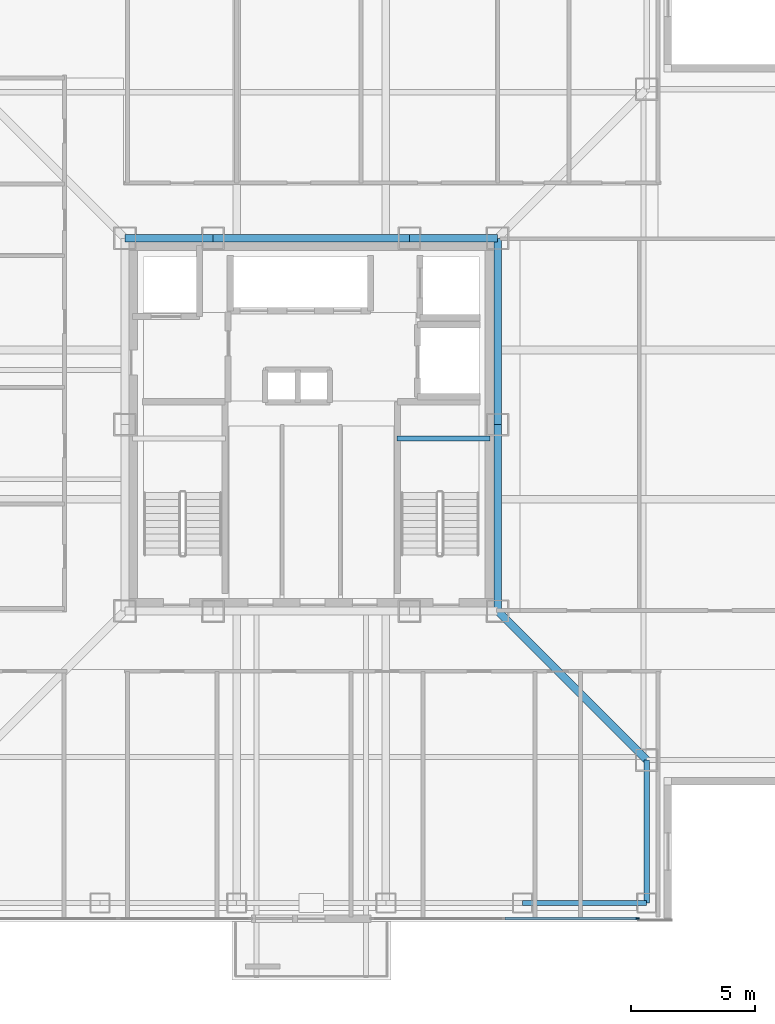
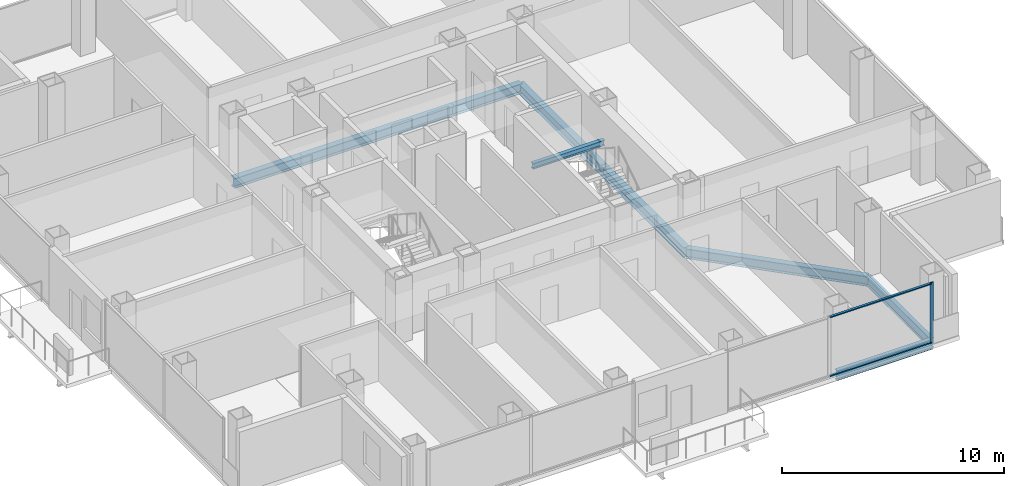
# One storey, part 5 of 16: 9 beams, 3 members, 1 element without a shape of its own.
"""IFC4 building model written with IfcOpenShell, lengths in metres."""

from ifc_helpers import new_model, si_unit, direction, frame, origin, origin_2d, place, context, subcontext, project, spatial, rectangle, i_section, extrude, material, layer, layer_set, material_profile, profile_set, type_object, element, aggregate, save


model = new_model("IFC4")

# Units and contexts
model_context = context("Model", 3, precision=1e-05, world=origin(), true_north=direction((0.0, 1.0)))
body_context = subcontext(model_context, "Body", "Model", "MODEL_VIEW")
ifc_project = project(units=[si_unit("LENGTHUNIT", "METRE"), si_unit("AREAUNIT", "SQUARE_METRE"), si_unit("VOLUMEUNIT", "CUBIC_METRE"), si_unit("PLANEANGLEUNIT", "RADIAN"), si_unit("MASSUNIT", "GRAM", prefix="KILO")], contexts=[model_context])

# Site, building, storey
site_placement = place(None, origin())
site = spatial("IfcSite", under=ifc_project, at=site_placement, CompositionType="ELEMENT")
building_placement = place(site_placement, origin())
building = spatial("IfcBuilding", under=site, at=building_placement, Name="Trevonay Congress Spire", CompositionType="ELEMENT")
storey_placement = place(building_placement, frame((0.0, 0.0, 177.0)))
storey = spatial("IfcBuildingStorey", under=building, at=storey_placement, Name="L45", CompositionType="ELEMENT", Elevation=177.0)

# Beams
ifc_material_1 = material(Name="Steel ASTM A572 Grade 50", Category="steel")
ifc_material_profile_1 = material_profile(ifc_material_1, i_section(OverallWidth=0.31201171875, OverallDepth=0.54296875, WebThickness=0.0126953125, FlangeThickness=0.020263671875, FilletRadius=0.014892578125, at=origin_2d()), Name="W530x150")
ifc_profile_set_1 = profile_set([ifc_material_profile_1], Name="Steel ASTM A572 Grade 50")
beam_type_1 = type_object("IfcBeamType", Name="BM-GIRD-W530X150", PredefinedType="BEAM", material=ifc_profile_set_1)
beam_1_placement = place(storey_placement, frame((-7.5, 7.5, -0.511474609375), z_axis=(1.0, 0.0, 0.0), x_axis=(0.0, 1.0, 0.0)))
element("IfcBeam", 1, at=beam_1_placement, inside=storey, type_object=beam_type_1, Name="L45 structural beam BM-L45-CR-N1", PredefinedType="BEAM", context=body_context, shape_type="SweptSolid", body=[
    extrude(i_section(OverallWidth=0.31201171875, OverallDepth=0.54296875, WebThickness=0.0126953125, FlangeThickness=0.020263671875, FilletRadius=0.014892578125, at=origin_2d()), origin(), (0.0, 0.0, 1.0), 3.550048828125),
])
beam_2_placement = place(storey_placement, frame((-3.949951171875, 7.5, -0.511474609375), z_axis=(1.0, 0.0, 0.0), x_axis=(0.0, 1.0, 0.0)))
element("IfcBeam", 2, at=beam_2_placement, inside=storey, type_object=beam_type_1, Name="L45 structural beam BM-L45-CR-N2", PredefinedType="BEAM", context=body_context, shape_type="SweptSolid", body=[
    extrude(i_section(OverallWidth=0.31201171875, OverallDepth=0.54296875, WebThickness=0.0126953125, FlangeThickness=0.020263671875, FilletRadius=0.014892578125, at=origin_2d()), origin(), (0.0, 0.0, 1.0), 7.89990234375),
])
beam_3_placement = place(storey_placement, frame((3.949951171875, 7.5, -0.511474609375), z_axis=(1.0, 0.0, 0.0), x_axis=(0.0, 1.0, 0.0)))
element("IfcBeam", 3, at=beam_3_placement, inside=storey, type_object=beam_type_1, Name="L45 structural beam BM-L45-CR-N3", PredefinedType="BEAM", context=body_context, shape_type="SweptSolid", body=[
    extrude(i_section(OverallWidth=0.31201171875, OverallDepth=0.54296875, WebThickness=0.0126953125, FlangeThickness=0.020263671875, FilletRadius=0.014892578125, at=origin_2d()), origin(), (0.0, 0.0, 1.0), 3.550048828125),
])
for number, where, z_axis, x_axis, name in (
    (4, (7.5, -7.5, -0.511474609375), (0.0, 1.0, 0.0), (-1.0, 0.0, 0.0), "L45 structural beam BM-L45-CR-E1"),
    (5, (7.5, 0.0, -0.511474609375), (0.0, 1.0, 0.0), (-1.0, 0.0, 0.0), "L45 structural beam BM-L45-CR-E2"),
):
    element("IfcBeam", number, at=place(storey_placement, frame(where, z_axis=z_axis, x_axis=x_axis)), inside=storey, type_object=beam_type_1, Name=name, PredefinedType="BEAM", context=body_context, shape_type="SweptSolid", body=[
        extrude(i_section(OverallWidth=0.31201171875, OverallDepth=0.54296875, WebThickness=0.0126953125, FlangeThickness=0.020263671875, FilletRadius=0.014892578125, at=origin_2d()), origin(), (0.0, 0.0, 1.0), 7.5),
    ])
beam_4_placement = place(storey_placement, frame((7.5, -7.5, -0.511474609375), z_axis=(0.707106781187, -0.707106781187, 0.0), x_axis=(0.707106781187, 0.707106781187, 0.0)))
element("IfcBeam", 6, at=beam_4_placement, inside=storey, type_object=beam_type_1, Name="L45 structural beam BM-L45-CDSE", PredefinedType="BEAM", context=body_context, shape_type="SweptSolid", body=[
    extrude(i_section(OverallWidth=0.31201171875, OverallDepth=0.54296875, WebThickness=0.0126953125, FlangeThickness=0.020263671875, FilletRadius=0.014892578125, at=origin_2d()), origin(), (0.0, 0.0, 1.0), 8.4853515625),
])
ifc_material_profile_2 = material_profile(ifc_material_1, i_section(OverallWidth=0.2119140625, OverallDepth=0.5439453125, WebThickness=0.01318359375, FlangeThickness=0.021240234375, FilletRadius=0.014892578125, at=origin_2d()), Name="W530x123")
ifc_profile_set_2 = profile_set([ifc_material_profile_2], Name="Steel ASTM A572 Grade 50")
beam_type_2 = type_object("IfcBeamType", Name="BM-RING-W530X123", PredefinedType="BEAM", material=ifc_profile_set_2)
beam_5_placement = place(storey_placement, frame((8.5, -19.25, -0.511962890625), z_axis=(1.0, 0.0, 0.0), x_axis=(0.0, 1.0, 0.0)))
element("IfcBeam", 7, at=beam_5_placement, inside=storey, type_object=beam_type_2, Name="L45 structural beam BM-L45-PS5", PredefinedType="BEAM", context=body_context, shape_type="SweptSolid", body=[
    extrude(i_section(OverallWidth=0.2119140625, OverallDepth=0.5439453125, WebThickness=0.01318359375, FlangeThickness=0.021240234375, FilletRadius=0.014892578125, at=origin_2d()), origin(), (0.0, 0.0, 1.0), 5.0),
])
beam_6_placement = place(storey_placement, frame((13.5, -19.25, -0.511962890625), z_axis=(0.0, 1.0, 0.0), x_axis=(-1.0, 0.0, 0.0)))
element("IfcBeam", 8, at=beam_6_placement, inside=storey, type_object=beam_type_2, Name="L45 structural beam BM-L45-N1SE", PredefinedType="BEAM", context=body_context, shape_type="SweptSolid", body=[
    extrude(i_section(OverallWidth=0.2119140625, OverallDepth=0.5439453125, WebThickness=0.01318359375, FlangeThickness=0.021240234375, FilletRadius=0.014892578125, at=origin_2d()), origin(), (0.0, 0.0, 1.0), 5.75),
])

# Curtain wall, members
ifc_material_2 = material(Name="Pale Anodised Aluminium EN AW-6063-T6", Category="aluminium")
ifc_layer = layer(ifc_material_2, 0.169921875, Name="Pale Anodised Aluminium EN AW-6063-T6")
ifc_layer_set = layer_set([ifc_layer], Name="Pale Anodised Aluminium EN AW-6063-T6")
curtain_wall_type = type_object("IfcCurtainWallType", Name="CW-SYS04-CORP-PALE-METAL", PredefinedType="NOTDEFINED", material=ifc_layer_set)
curtain_wall_placement = place(storey_placement, origin())
curtain_wall = element("IfcCurtainWall", 9, at=curtain_wall_placement, inside=storey, type_object=curtain_wall_type, Name="L45 SB unitised curtain wall", PredefinedType="NOTDEFINED")
ifc_material_profile_3 = material_profile(ifc_material_2, rectangle(XDim=0.06005859375, YDim=0.159912109375, at=origin_2d()), Name="CW-MULLION-160-ALUMINIUM")
ifc_profile_set_3 = profile_set([ifc_material_profile_3], Name="Pale Anodised Aluminium EN AW-6063-T6")
member_type_1 = type_object("IfcMemberType", Name="CW-MULLION-160-ALUMINIUM", PredefinedType="MULLION", material=ifc_profile_set_3)
member_1_placement = place(storey_placement, frame((13.1201171875, -19.8798828125, 0.0), z_axis=(0.0, 0.0, 1.0), x_axis=(0.0, 1.0, 0.0)))
member_1 = element("IfcMember", 10, at=member_1_placement, type_object=member_type_1, Name="CW04 mullion 3", PredefinedType="MULLION", context=body_context, shape_type="SweptSolid", body=[
    extrude(rectangle(XDim=0.06005859375, YDim=0.159912109375, at=origin_2d()), origin(), (0.0, 0.0, 1.0), 3.360107421875),
])
ifc_material_profile_4 = material_profile(ifc_material_2, rectangle(XDim=0.1201171875, YDim=0.06005859375, at=origin_2d()), Name="CW-TRANSOM-120-ALUMINIUM")
ifc_profile_set_4 = profile_set([ifc_material_profile_4], Name="Pale Anodised Aluminium EN AW-6063-T6")
member_type_2 = type_object("IfcMemberType", Name="CW-TRANSOM-120-ALUMINIUM", PredefinedType="USERDEFINED", material=ifc_profile_set_4)
member_2_placement = place(storey_placement, frame((7.804931640625, -19.8798828125, 0.06005859375), z_axis=(1.0, 0.0, 0.0), x_axis=(0.0, 1.0, 0.0)))
member_2 = element("IfcMember", 11, at=member_2_placement, type_object=member_type_2, Name="CW04 transom 2.1", ObjectType="TRANSOM", PredefinedType="USERDEFINED", context=body_context, shape_type="SweptSolid", body=[
    extrude(rectangle(XDim=0.1201171875, YDim=0.06005859375, at=origin_2d()), origin(), (0.0, 0.0, 1.0), 5.28515625),
])
member_3_placement = place(storey_placement, frame((7.804931640625, -19.8798828125, 3.300048828125), z_axis=(1.0, 0.0, 0.0), x_axis=(0.0, 1.0, 0.0)))
member_3 = element("IfcMember", 12, at=member_3_placement, type_object=member_type_2, Name="CW04 transom 2.2", ObjectType="TRANSOM", PredefinedType="USERDEFINED", context=body_context, shape_type="SweptSolid", body=[
    extrude(rectangle(XDim=0.1201171875, YDim=0.06005859375, at=origin_2d()), origin(), (0.0, 0.0, 1.0), 5.28515625),
])
aggregate(curtain_wall, [member_1, member_2, member_3])

# Beam
ifc_material_profile_5 = material_profile(ifc_material_1, i_section(OverallWidth=0.2041015625, OverallDepth=0.305908203125, WebThickness=0.008544921875, FlangeThickness=0.0146484375, FilletRadius=0.010986328125, at=origin_2d()), Name="W310x67")
ifc_profile_set_5 = profile_set([ifc_material_profile_5], Name="Steel ASTM A572 Grade 50")
beam_type_3 = type_object("IfcBeamType", Name="LN-CORE-W310X67", PredefinedType="LINTEL", material=ifc_profile_set_5)
beam_7_placement = place(storey_placement, frame((3.449951171875, -0.550048828125, 1.447021484375), z_axis=(1.0, 0.0, 0.0), x_axis=(0.0, 1.0, 0.0)))
element("IfcBeam", 13, at=beam_7_placement, inside=storey, type_object=beam_type_3, Name="L45 structural beam BM-L45-HL-ST2", PredefinedType="LINTEL", context=body_context, shape_type="SweptSolid", body=[
    extrude(i_section(OverallWidth=0.2041015625, OverallDepth=0.305908203125, WebThickness=0.008544921875, FlangeThickness=0.0146484375, FilletRadius=0.010986328125, at=origin_2d()), origin(), (0.0, 0.0, 1.0), 3.75),
])

save(model, "model.ifc")
